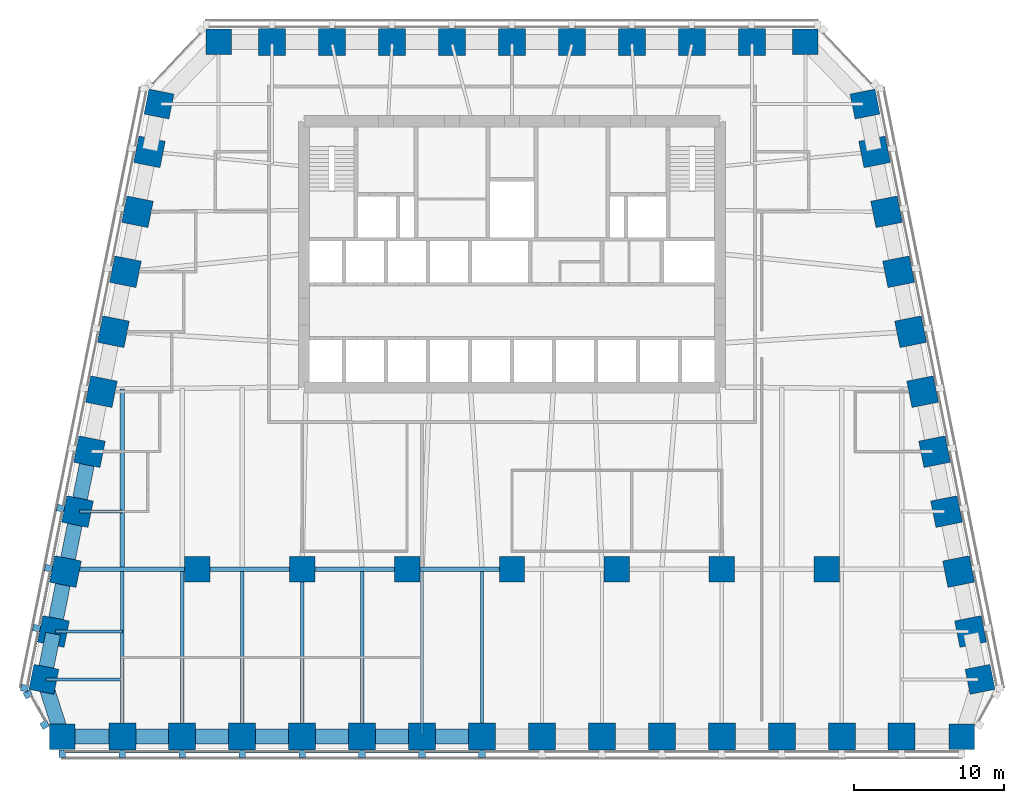
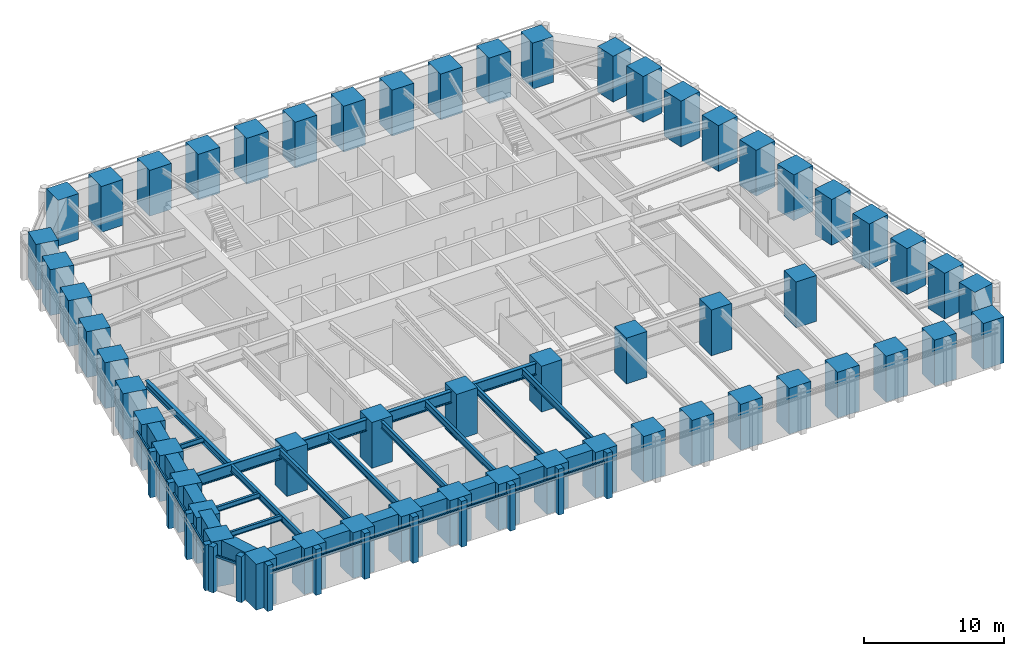
# One storey, part 1 of 10: 56 columns, 27 beams, 26 members, 3 elements without a shape of their own.
"""IFC4 building model written with IfcOpenShell, lengths in metres."""

from ifc_helpers import new_model, si_unit, direction, frame, origin, origin_2d, place, context, subcontext, project, spatial, rectangle, i_section, extrude, material, material_profile, profile_set, type_object, element, aggregate, save


model = new_model("IFC4")

# Units and contexts
model_context = context("Model", 3, precision=1e-05, world=origin(), true_north=direction((0.0, 1.0)))
body_context = subcontext(model_context, "Body", "Model", "MODEL_VIEW")
ifc_project = project(units=[si_unit("LENGTHUNIT", "METRE"), si_unit("AREAUNIT", "SQUARE_METRE"), si_unit("VOLUMEUNIT", "CUBIC_METRE"), si_unit("PLANEANGLEUNIT", "RADIAN"), si_unit("MASSUNIT", "GRAM", prefix="KILO")], contexts=[model_context])

# Site, building, storey
site_placement = place(None, origin())
site = spatial("IfcSite", under=ifc_project, at=site_placement, CompositionType="ELEMENT")
building_placement = place(site_placement, origin())
building = spatial("IfcBuilding", under=site, at=building_placement, Name="Isbrekke Arena Tower", CompositionType="ELEMENT")
storey_placement = place(building_placement, frame((0.0, 0.0, 107.0)))
storey = spatial("IfcBuildingStorey", under=building, at=storey_placement, Name="L23", CompositionType="ELEMENT", Elevation=107.0)

# Columns
ifc_material_1 = material(Name="Concrete B80 (C80/95)", Category="concrete")
ifc_material_profile_1 = material_profile(ifc_material_1, rectangle(XDim=1.699951171875, YDim=1.699951171875, at=origin_2d()), Name="RC 1700x1700")
ifc_profile_set_1 = profile_set([ifc_material_profile_1], Name="Concrete B80 (C80/95)")
column_type_1 = type_object("IfcColumnType", Name="C12 RC 1700 x 1700", PredefinedType="COLUMN", material=ifc_profile_set_1)
for number, where, z_axis, x_axis, name in (
    (1, (-21.0, -6.0, 0.0), (0.0, 0.0, 1.0), (1.0, 0.0, 0.0), "C12 I01"),
    (2, (-14.0, -6.0, 0.0), (0.0, 0.0, 1.0), (1.0, 0.0, 0.0), "C12 I02"),
    (3, (-7.0, -6.0, 0.0), (0.0, 0.0, 1.0), (1.0, 0.0, 0.0), "C12 I03"),
    (4, (0.0, -6.0, 0.0), (0.0, 0.0, 1.0), (1.0, 0.0, 0.0), "C12 I04"),
    (5, (7.0, -6.0, 0.0), (0.0, 0.0, 1.0), (1.0, 0.0, 0.0), "C12 I05"),
    (6, (14.0, -6.0, 0.0), (0.0, 0.0, 1.0), (1.0, 0.0, 0.0), "C12 I06"),
    (7, (21.0, -6.0, 0.0), (0.0, 0.0, 1.0), (1.0, 0.0, 0.0), "C12 I07"),
):
    element("IfcColumn", number, at=place(storey_placement, frame(where, z_axis=z_axis, x_axis=x_axis)), inside=storey, type_object=column_type_1, Name=name, PredefinedType="COLUMN", context=body_context, shape_type="SweptSolid", body=[
        extrude(rectangle(XDim=1.699951171875, YDim=1.699951171875, at=origin_2d()), origin(), (0.0, 0.0, 1.0), 4.0),
    ])
ifc_material_2 = material(Name="Concrete B80 (C80/95)", Category="concrete")
ifc_material_profile_2 = material_profile(ifc_material_2, rectangle(XDim=1.800048828125, YDim=1.800048828125, at=origin_2d()), Name="RC 1800x1800")
ifc_profile_set_2 = profile_set([ifc_material_profile_2], Name="Concrete B80 (C80/95)")
column_type_2 = type_object("IfcColumnType", Name="C3 RC 1800 x 1800", PredefinedType="COLUMN", material=ifc_profile_set_2)
for number, where, z_axis, x_axis, name in (
    (8, (-26.0, -17.175048828125, 0.0), (0.0, 0.0, 1.0), (1.0, 0.0, 0.0), "C3 S02"),
    (9, (-22.0, -17.175048828125, 0.0), (0.0, 0.0, 1.0), (1.0, 0.0, 0.0), "C3 S03"),
    (10, (-18.0, -17.175048828125, 0.0), (0.0, 0.0, 1.0), (1.0, 0.0, 0.0), "C3 S04"),
    (11, (-14.0, -17.175048828125, 0.0), (0.0, 0.0, 1.0), (1.0, 0.0, 0.0), "C3 S05"),
    (12, (-10.0, -17.175048828125, 0.0), (0.0, 0.0, 1.0), (1.0, 0.0, 0.0), "C3 S06"),
    (13, (-6.0, -17.175048828125, 0.0), (0.0, 0.0, 1.0), (1.0, 0.0, 0.0), "C3 S07"),
    (14, (-2.0, -17.175048828125, 0.0), (0.0, 0.0, 1.0), (1.0, 0.0, 0.0), "C3 S08"),
    (15, (2.0, -17.175048828125, 0.0), (0.0, 0.0, 1.0), (1.0, 0.0, 0.0), "C3 S09"),
    (16, (6.0, -17.175048828125, 0.0), (0.0, 0.0, 1.0), (1.0, 0.0, 0.0), "C3 S10"),
    (17, (10.0, -17.175048828125, 0.0), (0.0, 0.0, 1.0), (1.0, 0.0, 0.0), "C3 S11"),
    (18, (14.0, -17.175048828125, 0.0), (0.0, 0.0, 1.0), (1.0, 0.0, 0.0), "C3 S12"),
    (19, (18.0, -17.175048828125, 0.0), (0.0, 0.0, 1.0), (1.0, 0.0, 0.0), "C3 S13"),
    (20, (22.0, -17.175048828125, 0.0), (0.0, 0.0, 1.0), (1.0, 0.0, 0.0), "C3 S14"),
    (21, (26.0, -17.175048828125, 0.0), (0.0, 0.0, 1.0), (1.0, 0.0, 0.0), "C3 S15"),
    (22, (30.591064453125, -10.161865234375, 0.0), (0.0, 0.0, 1.0), (-0.196116135138, 0.980580675691, 0.0), "C3 E02"),
    (23, (29.791015625, -6.161865234375, 0.0), (0.0, 0.0, 1.0), (-0.196116135138, 0.980580675691, 0.0), "C3 E03"),
    (24, (28.990966796875, -2.161865234375, 0.0), (0.0, 0.0, 1.0), (-0.196116135138, 0.980580675691, 0.0), "C3 E04"),
    (25, (28.19091796875, 1.838134765625, 0.0), (0.0, 0.0, 1.0), (-0.196116135138, 0.980580675691, 0.0), "C3 E05"),
    (26, (27.39111328125, 5.838134765625, 0.0), (0.0, 0.0, 1.0), (-0.196116135138, 0.980580675691, 0.0), "C3 E06"),
    (27, (26.591064453125, 9.838134765625, 0.0), (0.0, 0.0, 1.0), (-0.196116135138, 0.980580675691, 0.0), "C3 E07"),
    (28, (25.791015625, 13.838134765625, 0.0), (0.0, 0.0, 1.0), (-0.196116135138, 0.980580675691, 0.0), "C3 E08"),
    (29, (24.990966796875, 17.838134765625, 0.0), (0.0, 0.0, 1.0), (-0.196116135138, 0.980580675691, 0.0), "C3 E09"),
    (30, (24.19091796875, 21.838134765625, 0.0), (0.0, 0.0, 1.0), (-0.196116135138, 0.980580675691, 0.0), "C3 E10"),
    (31, (16.0, 29.175048828125, 0.0), (0.0, 0.0, 1.0), (-1.0, 0.0, 0.0), "C3 N02"),
    (32, (12.0, 29.175048828125, 0.0), (0.0, 0.0, 1.0), (-1.0, 0.0, 0.0), "C3 N03"),
    (33, (8.0, 29.175048828125, 0.0), (0.0, 0.0, 1.0), (-1.0, 0.0, 0.0), "C3 N04"),
    (34, (4.0, 29.175048828125, 0.0), (0.0, 0.0, 1.0), (-1.0, 0.0, 0.0), "C3 N05"),
    (35, (0.0, 29.175048828125, 0.0), (0.0, 0.0, 1.0), (-1.0, 0.0, 0.0), "C3 N06"),
    (36, (-4.0, 29.175048828125, 0.0), (0.0, 0.0, 1.0), (-1.0, 0.0, 0.0), "C3 N07"),
    (37, (-8.0, 29.175048828125, 0.0), (0.0, 0.0, 1.0), (-1.0, 0.0, 0.0), "C3 N08"),
    (38, (-12.0, 29.175048828125, 0.0), (0.0, 0.0, 1.0), (-1.0, 0.0, 0.0), "C3 N09"),
    (39, (-16.0, 29.175048828125, 0.0), (0.0, 0.0, 1.0), (-1.0, 0.0, 0.0), "C3 N10"),
    (40, (-24.19091796875, 21.838134765625, 0.0), (0.0, 0.0, 1.0), (-0.196116135138, -0.980580675691, 0.0), "C3 W02"),
    (41, (-24.990966796875, 17.838134765625, 0.0), (0.0, 0.0, 1.0), (-0.196116135138, -0.980580675691, 0.0), "C3 W03"),
    (42, (-25.791015625, 13.838134765625, 0.0), (0.0, 0.0, 1.0), (-0.196116135138, -0.980580675691, 0.0), "C3 W04"),
    (43, (-26.591064453125, 9.838134765625, 0.0), (0.0, 0.0, 1.0), (-0.196116135138, -0.980580675691, 0.0), "C3 W05"),
    (44, (-27.39111328125, 5.838134765625, 0.0), (0.0, 0.0, 1.0), (-0.196116135138, -0.980580675691, 0.0), "C3 W06"),
    (45, (-28.19091796875, 1.838134765625, 0.0), (0.0, 0.0, 1.0), (-0.196116135138, -0.980580675691, 0.0), "C3 W07"),
    (46, (-28.990966796875, -2.161865234375, 0.0), (0.0, 0.0, 1.0), (-0.196116135138, -0.980580675691, 0.0), "C3 W08"),
    (47, (-29.791015625, -6.161865234375, 0.0), (0.0, 0.0, 1.0), (-0.196116135138, -0.980580675691, 0.0), "C3 W09"),
    (48, (-30.591064453125, -10.161865234375, 0.0), (0.0, 0.0, 1.0), (-0.196116135138, -0.980580675691, 0.0), "C3 W10"),
):
    element("IfcColumn", number, at=place(storey_placement, frame(where, z_axis=z_axis, x_axis=x_axis)), inside=storey, type_object=column_type_2, Name=name, PredefinedType="COLUMN", context=body_context, shape_type="SweptSolid", body=[
        extrude(rectangle(XDim=1.800048828125, YDim=1.800048828125, at=origin_2d()), origin(), (0.0, 0.0, 1.0), 4.0),
    ])
ifc_material_3 = material(Name="Concrete B80 (C80/95)", Category="concrete")
ifc_material_profile_3 = material_profile(ifc_material_3, rectangle(XDim=1.699951171875, YDim=1.699951171875, at=origin_2d()), Name="RC 1700x1700")
ifc_profile_set_3 = profile_set([ifc_material_profile_3], Name="Concrete B80 (C80/95)")
column_type_3 = type_object("IfcColumnType", Name="C7 RC 1700 x 1700", PredefinedType="COLUMN", material=ifc_profile_set_3)
for number, where, z_axis, x_axis, name in (
    (49, (-30.0, -17.175048828125, 0.0), (0.0, 0.0, 1.0), (1.0, 0.0, 0.0), "C7 S01"),
    (50, (30.0, -17.175048828125, 0.0), (0.0, 0.0, 1.0), (1.0, 0.0, 0.0), "C7 S16"),
    (51, (31.229248046875, -13.352783203125, 0.0), (0.0, 0.0, 1.0), (-0.196116135138, 0.980580675691, 0.0), "C7 E01"),
    (52, (23.552734375, 25.029296875, 0.0), (0.0, 0.0, 1.0), (-0.196116135138, 0.980580675691, 0.0), "C7 E11"),
    (53, (19.574951171875, 29.175048828125, 0.0), (0.0, 0.0, 1.0), (-1.0, 0.0, 0.0), "C7 N01"),
    (54, (-19.574951171875, 29.175048828125, 0.0), (0.0, 0.0, 1.0), (-1.0, 0.0, 0.0), "C7 N11"),
    (55, (-23.552734375, 25.029296875, 0.0), (0.0, 0.0, 1.0), (-0.196116135138, -0.980580675691, 0.0), "C7 W01"),
    (56, (-31.229248046875, -13.352783203125, 0.0), (0.0, 0.0, 1.0), (-0.196116135138, -0.980580675691, 0.0), "C7 W11"),
):
    element("IfcColumn", number, at=place(storey_placement, frame(where, z_axis=z_axis, x_axis=x_axis)), inside=storey, type_object=column_type_3, Name=name, PredefinedType="COLUMN", context=body_context, shape_type="SweptSolid", body=[
        extrude(rectangle(XDim=1.699951171875, YDim=1.699951171875, at=origin_2d()), origin(), (0.0, 0.0, 1.0), 4.0),
    ])

# Beams
ifc_material_4 = material(Name="Steel S355", Category="steel")
ifc_material_profile_4 = material_profile(ifc_material_4, i_section(OverallWidth=0.219970703125, OverallDepth=0.60009765625, WebThickness=0.011962890625, FlangeThickness=0.01904296875, FilletRadius=0.02392578125, at=origin_2d()), Name="IPE 600")
ifc_profile_set_4 = profile_set([ifc_material_profile_4], Name="Steel S355")
beam_type_1 = type_object("IfcBeamType", Name="B1 IPE 600", PredefinedType="BEAM", material=ifc_profile_set_4)
for number, where, z_axis, x_axis, name in (
    (57, (-26.0, -17.02490234375, 3.550048828125), (0.0, 1.0, 0.0), (-1.0, 0.0, 0.0), "B1 beam S-S02 L23"),
    (58, (-22.0, -17.02490234375, 3.550048828125), (0.0, 1.0, 0.0), (-1.0, 0.0, 0.0), "B1 beam S-S03 L23"),
    (59, (-18.0, -17.02490234375, 3.550048828125), (0.0, 1.0, 0.0), (-1.0, 0.0, 0.0), "B1 beam S-S04 L23"),
):
    element("IfcBeam", number, at=place(storey_placement, frame(where, z_axis=z_axis, x_axis=x_axis)), inside=storey, type_object=beam_type_1, Name=name, PredefinedType="BEAM", context=body_context, shape_type="SweptSolid", body=[
        extrude(i_section(OverallWidth=0.219970703125, OverallDepth=0.60009765625, WebThickness=0.011962890625, FlangeThickness=0.01904296875, FilletRadius=0.02392578125, at=origin_2d()), origin(), (0.0, 0.0, 1.0), 10.8740234375),
    ])
beam_1_placement = place(storey_placement, frame((-14.0, -17.02490234375, 3.550048828125), z_axis=(0.0, 1.0, 0.0), x_axis=(-1.0, 0.0, 0.0)))
element("IfcBeam", 60, at=beam_1_placement, inside=storey, type_object=beam_type_1, Name="B1 beam S-S05 L23", PredefinedType="BEAM", context=body_context, shape_type="SweptSolid", body=[
    extrude(i_section(OverallWidth=0.219970703125, OverallDepth=0.60009765625, WebThickness=0.011962890625, FlangeThickness=0.01904296875, FilletRadius=0.02392578125, at=origin_2d()), origin(), (0.0, 0.0, 1.0), 10.875),
])
for number, where, z_axis, x_axis, name in (
    (61, (-10.0, -17.02490234375, 3.550048828125), (0.0, 1.0, 0.0), (-1.0, 0.0, 0.0), "B1 beam S-S06 L23"),
    (62, (-6.0, -17.02490234375, 3.550048828125), (0.0, 1.0, 0.0), (-1.0, 0.0, 0.0), "B1 beam S-S07 L23"),
    (63, (-2.0, -17.02490234375, 3.550048828125), (0.0, 1.0, 0.0), (-1.0, 0.0, 0.0), "B1 beam S-S08 L23"),
):
    element("IfcBeam", number, at=place(storey_placement, frame(where, z_axis=z_axis, x_axis=x_axis)), inside=storey, type_object=beam_type_1, Name=name, PredefinedType="BEAM", context=body_context, shape_type="SweptSolid", body=[
        extrude(i_section(OverallWidth=0.219970703125, OverallDepth=0.60009765625, WebThickness=0.011962890625, FlangeThickness=0.01904296875, FilletRadius=0.02392578125, at=origin_2d()), origin(), (0.0, 0.0, 1.0), 10.8740234375),
    ])
ifc_material_5 = material(Name="Steel S355", Category="steel")
ifc_material_profile_5 = material_profile(ifc_material_5, i_section(OverallWidth=0.18994140625, OverallDepth=0.449951171875, WebThickness=0.009521484375, FlangeThickness=0.0146484375, FilletRadius=0.02099609375, at=origin_2d()), Name="IPE 450")
ifc_profile_set_5 = profile_set([ifc_material_profile_5], Name="Steel S355")
beam_type_2 = type_object("IfcBeamType", Name="B2 IPE 450", PredefinedType="BEAM", material=ifc_profile_set_5)
beam_2_placement = place(storey_placement, frame((-28.841064453125, -2.161865234375, 3.625), z_axis=(1.0, 0.0, 0.0), x_axis=(0.0, 1.0, 0.0)))
element("IfcBeam", 64, at=beam_2_placement, inside=storey, type_object=beam_type_2, Name="B2 beam E-W08 L23", PredefinedType="BEAM", context=body_context, shape_type="SweptSolid", body=[
    extrude(i_section(OverallWidth=0.18994140625, OverallDepth=0.449951171875, WebThickness=0.009521484375, FlangeThickness=0.0146484375, FilletRadius=0.02099609375, at=origin_2d()), origin(), (0.0, 0.0, 1.0), 2.841064453125),
])
beam_3_placement = place(storey_placement, frame((-30.44091796875, -10.161865234375, 3.625), z_axis=(1.0, 0.0, 0.0), x_axis=(0.0, 1.0, 0.0)))
element("IfcBeam", 65, at=beam_3_placement, inside=storey, type_object=beam_type_2, Name="B2 beam E-W10 L23", PredefinedType="BEAM", context=body_context, shape_type="SweptSolid", body=[
    extrude(i_section(OverallWidth=0.18994140625, OverallDepth=0.449951171875, WebThickness=0.009521484375, FlangeThickness=0.0146484375, FilletRadius=0.02099609375, at=origin_2d()), origin(), (0.0, 0.0, 1.0), 4.44091796875),
])
beam_4_placement = place(storey_placement, frame((-31.079345703125, -13.352783203125, 3.625), z_axis=(1.0, 0.0, 0.0), x_axis=(0.0, 1.0, 0.0)))
element("IfcBeam", 66, at=beam_4_placement, inside=storey, type_object=beam_type_2, Name="B2 beam E-W11 L23", PredefinedType="BEAM", context=body_context, shape_type="SweptSolid", body=[
    extrude(i_section(OverallWidth=0.18994140625, OverallDepth=0.449951171875, WebThickness=0.009521484375, FlangeThickness=0.0146484375, FilletRadius=0.02099609375, at=origin_2d()), origin(), (0.0, 0.0, 1.0), 5.079345703125),
])
ifc_material_6 = material(Name="Steel S355", Category="steel")
ifc_material_profile_6 = material_profile(ifc_material_6, i_section(OverallWidth=0.300048828125, OverallDepth=0.60009765625, WebThickness=0.015380859375, FlangeThickness=0.030029296875, FilletRadius=0.027099609375, at=origin_2d()), Name="HEB 600")
ifc_profile_set_6 = profile_set([ifc_material_profile_6], Name="Steel S355")
beam_type_3 = type_object("IfcBeamType", Name="B7 HEB 600", PredefinedType="BEAM", material=ifc_profile_set_6)
beam_5_placement = place(storey_placement, frame((-26.0, -5.84912109375, 3.550048828125), z_axis=(0.0, 1.0, 0.0), x_axis=(-1.0, 0.0, 0.0)))
element("IfcBeam", 67, at=beam_5_placement, inside=storey, type_object=beam_type_3, Name="B7 beam C-M01 L23", PredefinedType="BEAM", context=body_context, shape_type="SweptSolid", body=[
    extrude(i_section(OverallWidth=0.300048828125, OverallDepth=0.60009765625, WebThickness=0.015380859375, FlangeThickness=0.030029296875, FilletRadius=0.027099609375, at=origin_2d()), origin(), (0.0, 0.0, 1.0), 11.864990234375),
])

# Curtain wall, members
ifc_material_7 = material(Name="Glazed aluminium curtain wall", Category="aluminium")
curtain_wall_type = type_object("IfcCurtainWallType", Name="CWM TOWER CURTAIN WALL MID ZONE", PredefinedType="USERDEFINED", material=ifc_material_7)
curtain_wall_1_placement = place(storey_placement, origin())
curtain_wall_1 = element("IfcCurtainWall", 68, at=curtain_wall_1_placement, inside=storey, type_object=curtain_wall_type, Name="CWM curtain wall L23-S", ObjectType="TOWER CURTAIN WALL MID ZONE", PredefinedType="USERDEFINED")
ifc_material_8 = material(Name="Aluminium mullion, pale brick slip cladding", Category="masonry")
ifc_material_profile_7 = material_profile(ifc_material_8, rectangle(XDim=0.449951171875, YDim=0.5, at=origin_2d()), Name="PIER 450X500")
ifc_profile_set_7 = profile_set([ifc_material_profile_7], Name="Aluminium mullion, pale brick slip cladding")
member_type_1 = type_object("IfcMemberType", Name="CWM-M PIER MULLION 450 x 500", PredefinedType="MULLION", material=ifc_profile_set_7)
member_1_placement = place(storey_placement, frame((-30.0, -18.324951171875, 0.0), z_axis=(0.0, 0.0, 1.0), x_axis=(1.0, 0.0, 0.0)))
member_1 = element("IfcMember", 69, at=member_1_placement, type_object=member_type_1, Name="CWM-M mullion 1", PredefinedType="MULLION", context=body_context, shape_type="SweptSolid", body=[
    extrude(rectangle(XDim=0.449951171875, YDim=0.5, at=origin_2d()), origin(), (0.0, 0.0, 1.0), 4.0),
])
member_2_placement = place(storey_placement, frame((-26.0, -18.324951171875, 0.0), z_axis=(0.0, 0.0, 1.0), x_axis=(1.0, 0.0, 0.0)))
member_2 = element("IfcMember", 70, at=member_2_placement, type_object=member_type_1, Name="CWM-M mullion 2", PredefinedType="MULLION", context=body_context, shape_type="SweptSolid", body=[
    extrude(rectangle(XDim=0.449951171875, YDim=0.5, at=origin_2d()), origin(), (0.0, 0.0, 1.0), 4.0),
])
member_3_placement = place(storey_placement, frame((-22.0, -18.324951171875, 0.0), z_axis=(0.0, 0.0, 1.0), x_axis=(1.0, 0.0, 0.0)))
member_3 = element("IfcMember", 71, at=member_3_placement, type_object=member_type_1, Name="CWM-M mullion 3", PredefinedType="MULLION", context=body_context, shape_type="SweptSolid", body=[
    extrude(rectangle(XDim=0.449951171875, YDim=0.5, at=origin_2d()), origin(), (0.0, 0.0, 1.0), 4.0),
])
member_4_placement = place(storey_placement, frame((-18.0, -18.324951171875, 0.0), z_axis=(0.0, 0.0, 1.0), x_axis=(1.0, 0.0, 0.0)))
member_4 = element("IfcMember", 72, at=member_4_placement, type_object=member_type_1, Name="CWM-M mullion 4", PredefinedType="MULLION", context=body_context, shape_type="SweptSolid", body=[
    extrude(rectangle(XDim=0.449951171875, YDim=0.5, at=origin_2d()), origin(), (0.0, 0.0, 1.0), 4.0),
])
member_5_placement = place(storey_placement, frame((-14.0, -18.324951171875, 0.0), z_axis=(0.0, 0.0, 1.0), x_axis=(1.0, 0.0, 0.0)))
member_5 = element("IfcMember", 73, at=member_5_placement, type_object=member_type_1, Name="CWM-M mullion 5", PredefinedType="MULLION", context=body_context, shape_type="SweptSolid", body=[
    extrude(rectangle(XDim=0.449951171875, YDim=0.5, at=origin_2d()), origin(), (0.0, 0.0, 1.0), 4.0),
])
member_6_placement = place(storey_placement, frame((-10.0, -18.324951171875, 0.0), z_axis=(0.0, 0.0, 1.0), x_axis=(1.0, 0.0, 0.0)))
member_6 = element("IfcMember", 74, at=member_6_placement, type_object=member_type_1, Name="CWM-M mullion 6", PredefinedType="MULLION", context=body_context, shape_type="SweptSolid", body=[
    extrude(rectangle(XDim=0.449951171875, YDim=0.5, at=origin_2d()), origin(), (0.0, 0.0, 1.0), 4.0),
])
member_7_placement = place(storey_placement, frame((-6.0, -18.324951171875, 0.0), z_axis=(0.0, 0.0, 1.0), x_axis=(1.0, 0.0, 0.0)))
member_7 = element("IfcMember", 75, at=member_7_placement, type_object=member_type_1, Name="CWM-M mullion 7", PredefinedType="MULLION", context=body_context, shape_type="SweptSolid", body=[
    extrude(rectangle(XDim=0.449951171875, YDim=0.5, at=origin_2d()), origin(), (0.0, 0.0, 1.0), 4.0),
])
member_8_placement = place(storey_placement, frame((-2.0, -18.324951171875, 0.0), z_axis=(0.0, 0.0, 1.0), x_axis=(1.0, 0.0, 0.0)))
member_8 = element("IfcMember", 76, at=member_8_placement, type_object=member_type_1, Name="CWM-M mullion 8", PredefinedType="MULLION", context=body_context, shape_type="SweptSolid", body=[
    extrude(rectangle(XDim=0.449951171875, YDim=0.5, at=origin_2d()), origin(), (0.0, 0.0, 1.0), 4.0),
])

curtain_wall_2_placement = place(storey_placement, origin())
curtain_wall_2 = element("IfcCurtainWall", 77, at=curtain_wall_2_placement, inside=storey, type_object=curtain_wall_type, Name="CWM curtain wall L23-W", ObjectType="TOWER CURTAIN WALL MID ZONE", PredefinedType="USERDEFINED")
member_9_placement = place(storey_placement, frame((-30.11865234375, -1.936279296875, 0.0), z_axis=(0.0, 0.0, 1.0), x_axis=(-0.196116135138, -0.980580675691, 0.0)))
member_9 = element("IfcMember", 78, at=member_9_placement, type_object=member_type_1, Name="CWM-M mullion 8", PredefinedType="MULLION", context=body_context, shape_type="SweptSolid", body=[
    extrude(rectangle(XDim=0.449951171875, YDim=0.5, at=origin_2d()), origin(), (0.0, 0.0, 1.0), 4.0),
])
member_10_placement = place(storey_placement, frame((-30.918701171875, -5.936279296875, 0.0), z_axis=(0.0, 0.0, 1.0), x_axis=(-0.196116135138, -0.980580675691, 0.0)))
member_10 = element("IfcMember", 79, at=member_10_placement, type_object=member_type_1, Name="CWM-M mullion 9", PredefinedType="MULLION", context=body_context, shape_type="SweptSolid", body=[
    extrude(rectangle(XDim=0.449951171875, YDim=0.5, at=origin_2d()), origin(), (0.0, 0.0, 1.0), 4.0),
])
member_11_placement = place(storey_placement, frame((-31.71875, -9.936279296875, 0.0), z_axis=(0.0, 0.0, 1.0), x_axis=(-0.196116135138, -0.980580675691, 0.0)))
member_11 = element("IfcMember", 80, at=member_11_placement, type_object=member_type_1, Name="CWM-M mullion 10", PredefinedType="MULLION", context=body_context, shape_type="SweptSolid", body=[
    extrude(rectangle(XDim=0.449951171875, YDim=0.5, at=origin_2d()), origin(), (0.0, 0.0, 1.0), 4.0),
])
member_12_placement = place(storey_placement, frame((-32.518798828125, -13.936279296875, 0.0), z_axis=(0.0, 0.0, 1.0), x_axis=(-0.196116135138, -0.980580675691, 0.0)))
member_12 = element("IfcMember", 81, at=member_12_placement, type_object=member_type_1, Name="CWM-M mullion 11", PredefinedType="MULLION", context=body_context, shape_type="SweptSolid", body=[
    extrude(rectangle(XDim=0.449951171875, YDim=0.5, at=origin_2d()), origin(), (0.0, 0.0, 1.0), 4.0),
])

curtain_wall_3_placement = place(storey_placement, origin())
curtain_wall_3 = element("IfcCurtainWall", 82, at=curtain_wall_3_placement, inside=storey, type_object=curtain_wall_type, Name="CWM curtain wall L23-WS", ObjectType="TOWER CURTAIN WALL MID ZONE", PredefinedType="USERDEFINED")
member_13_placement = place(storey_placement, frame((-32.29638671875, -14.34326171875, 0.0), z_axis=(0.0, 0.0, 1.0), x_axis=(0.481918749773, -0.876215908676, 0.0)))
member_13 = element("IfcMember", 83, at=member_13_placement, type_object=member_type_1, Name="CWM-M mullion 1", PredefinedType="MULLION", context=body_context, shape_type="SweptSolid", body=[
    extrude(rectangle(XDim=0.449951171875, YDim=0.5, at=origin_2d()), origin(), (0.0, 0.0, 1.0), 4.0),
])
member_14_placement = place(storey_placement, frame((-31.174560546875, -16.38330078125, 0.0), z_axis=(0.0, 0.0, 1.0), x_axis=(0.481918749773, -0.876215908676, 0.0)))
member_14 = element("IfcMember", 84, at=member_14_placement, type_object=member_type_1, Name="CWM-M mullion 2", PredefinedType="MULLION", context=body_context, shape_type="SweptSolid", body=[
    extrude(rectangle(XDim=0.449951171875, YDim=0.5, at=origin_2d()), origin(), (0.0, 0.0, 1.0), 4.0),
])

# Member
ifc_material_9 = material(Name="Aluminium transom", Category="aluminium")
ifc_material_profile_8 = material_profile(ifc_material_9, rectangle(XDim=0.1201171875, YDim=0.199951171875, at=origin_2d()), Name="TRANSOM 120X200")
ifc_profile_set_8 = profile_set([ifc_material_profile_8], Name="Aluminium transom")
member_type_2 = type_object("IfcMemberType", Name="CWM-T TRANSOM 120 x 200", PredefinedType="USERDEFINED", material=ifc_profile_set_8)
member_15_placement = place(storey_placement, frame((-29.77490234375, -18.175048828125, 3.0), z_axis=(1.0, 0.0, 0.0), x_axis=(0.0, 1.0, 0.0)))
member_15 = element("IfcMember", 85, at=member_15_placement, type_object=member_type_2, Name="CWM-T transom 1", ObjectType="TRANSOM", PredefinedType="USERDEFINED", context=body_context, shape_type="SweptSolid", body=[
    extrude(rectangle(XDim=0.1201171875, YDim=0.199951171875, at=origin_2d()), origin(), (0.0, 0.0, 1.0), 3.5498046875),
])

member_16_placement = place(storey_placement, frame((-25.77490234375, -18.175048828125, 3.0), z_axis=(1.0, 0.0, 0.0), x_axis=(0.0, 1.0, 0.0)))
member_16 = element("IfcMember", 86, at=member_16_placement, type_object=member_type_2, Name="CWM-T transom 2", ObjectType="TRANSOM", PredefinedType="USERDEFINED", context=body_context, shape_type="SweptSolid", body=[
    extrude(rectangle(XDim=0.1201171875, YDim=0.199951171875, at=origin_2d()), origin(), (0.0, 0.0, 1.0), 3.5498046875),
])

member_17_placement = place(storey_placement, frame((-21.77490234375, -18.175048828125, 3.0), z_axis=(1.0, 0.0, 0.0), x_axis=(0.0, 1.0, 0.0)))
member_17 = element("IfcMember", 87, at=member_17_placement, type_object=member_type_2, Name="CWM-T transom 3", ObjectType="TRANSOM", PredefinedType="USERDEFINED", context=body_context, shape_type="SweptSolid", body=[
    extrude(rectangle(XDim=0.1201171875, YDim=0.199951171875, at=origin_2d()), origin(), (0.0, 0.0, 1.0), 3.5498046875),
])

member_18_placement = place(storey_placement, frame((-17.77490234375, -18.175048828125, 3.0), z_axis=(1.0, 0.0, 0.0), x_axis=(0.0, 1.0, 0.0)))
member_18 = element("IfcMember", 88, at=member_18_placement, type_object=member_type_2, Name="CWM-T transom 4", ObjectType="TRANSOM", PredefinedType="USERDEFINED", context=body_context, shape_type="SweptSolid", body=[
    extrude(rectangle(XDim=0.1201171875, YDim=0.199951171875, at=origin_2d()), origin(), (0.0, 0.0, 1.0), 3.5498046875),
])

member_19_placement = place(storey_placement, frame((-13.77490234375, -18.175048828125, 3.0), z_axis=(1.0, 0.0, 0.0), x_axis=(0.0, 1.0, 0.0)))
member_19 = element("IfcMember", 89, at=member_19_placement, type_object=member_type_2, Name="CWM-T transom 5", ObjectType="TRANSOM", PredefinedType="USERDEFINED", context=body_context, shape_type="SweptSolid", body=[
    extrude(rectangle(XDim=0.1201171875, YDim=0.199951171875, at=origin_2d()), origin(), (0.0, 0.0, 1.0), 3.5498046875),
])

member_20_placement = place(storey_placement, frame((-9.77490234375, -18.175048828125, 3.0), z_axis=(1.0, 0.0, 0.0), x_axis=(0.0, 1.0, 0.0)))
member_20 = element("IfcMember", 90, at=member_20_placement, type_object=member_type_2, Name="CWM-T transom 6", ObjectType="TRANSOM", PredefinedType="USERDEFINED", context=body_context, shape_type="SweptSolid", body=[
    extrude(rectangle(XDim=0.1201171875, YDim=0.199951171875, at=origin_2d()), origin(), (0.0, 0.0, 1.0), 3.5498046875),
])

member_21_placement = place(storey_placement, frame((-5.77490234375, -18.175048828125, 3.0), z_axis=(1.0, 0.0, 0.0), x_axis=(0.0, 1.0, 0.0)))
member_21 = element("IfcMember", 91, at=member_21_placement, type_object=member_type_2, Name="CWM-T transom 7", ObjectType="TRANSOM", PredefinedType="USERDEFINED", context=body_context, shape_type="SweptSolid", body=[
    extrude(rectangle(XDim=0.1201171875, YDim=0.199951171875, at=origin_2d()), origin(), (0.0, 0.0, 1.0), 3.5498046875),
])

aggregate(curtain_wall_1, [member_1, member_2, member_3, member_4, member_5, member_6, member_7, member_8, member_15, member_16, member_17, member_18, member_19, member_20, member_21])

member_22_placement = place(storey_placement, frame((-29.2158203125, 1.813720703125, 3.0), z_axis=(-0.196090262229, -0.980585849918, 0.0), x_axis=(0.980585849918, -0.196090262229, 0.0)))
member_22 = element("IfcMember", 92, at=member_22_placement, type_object=member_type_2, Name="CWM-T transom 7", ObjectType="TRANSOM", PredefinedType="USERDEFINED", context=body_context, shape_type="SweptSolid", body=[
    extrude(rectangle(XDim=0.1201171875, YDim=0.199951171875, at=origin_2d()), origin(), (0.0, 0.0, 1.0), 3.62939453125),
])

member_23_placement = place(storey_placement, frame((-30.015625, -2.186279296875, 3.0), z_axis=(-0.196154943734, -0.980572913173, 0.0), x_axis=(0.980572913173, -0.196154943734, 0.0)))
member_23 = element("IfcMember", 93, at=member_23_placement, type_object=member_type_2, Name="CWM-T transom 8", ObjectType="TRANSOM", PredefinedType="USERDEFINED", context=body_context, shape_type="SweptSolid", body=[
    extrude(rectangle(XDim=0.1201171875, YDim=0.199951171875, at=origin_2d()), origin(), (0.0, 0.0, 1.0), 3.62939453125),
])

member_24_placement = place(storey_placement, frame((-30.815673828125, -6.186279296875, 3.0), z_axis=(-0.196154943734, -0.980572913173, 0.0), x_axis=(0.980572913173, -0.196154943734, 0.0)))
member_24 = element("IfcMember", 94, at=member_24_placement, type_object=member_type_2, Name="CWM-T transom 9", ObjectType="TRANSOM", PredefinedType="USERDEFINED", context=body_context, shape_type="SweptSolid", body=[
    extrude(rectangle(XDim=0.1201171875, YDim=0.199951171875, at=origin_2d()), origin(), (0.0, 0.0, 1.0), 3.62939453125),
])

member_25_placement = place(storey_placement, frame((-31.61572265625, -10.186279296875, 3.0), z_axis=(-0.196090262229, -0.980585849918, 0.0), x_axis=(0.980585849918, -0.196090262229, 0.0)))
member_25 = element("IfcMember", 95, at=member_25_placement, type_object=member_type_2, Name="CWM-T transom 10", ObjectType="TRANSOM", PredefinedType="USERDEFINED", context=body_context, shape_type="SweptSolid", body=[
    extrude(rectangle(XDim=0.1201171875, YDim=0.199951171875, at=origin_2d()), origin(), (0.0, 0.0, 1.0), 3.62939453125),
])

aggregate(curtain_wall_2, [member_9, member_10, member_11, member_12, member_22, member_23, member_24, member_25])

member_26_placement = place(storey_placement, frame((-32.056640625, -14.46826171875, 3.0), z_axis=(0.481918749772, -0.876215908677, 0.0), x_axis=(0.876215908677, 0.481918749772, 0.0)))
member_26 = element("IfcMember", 96, at=member_26_placement, type_object=member_type_2, Name="CWM-T transom 1", ObjectType="TRANSOM", PredefinedType="USERDEFINED", context=body_context, shape_type="SweptSolid", body=[
    extrude(rectangle(XDim=0.1201171875, YDim=0.199951171875, at=origin_2d()), origin(), (0.0, 0.0, 1.0), 1.8779296875),
])

aggregate(curtain_wall_3, [member_13, member_14, member_26])

# Beams
ifc_material_10 = material(Name="Steel S355", Category="steel")
ifc_material_profile_9 = material_profile(ifc_material_10, i_section(OverallWidth=0.302001953125, OverallDepth=1.008056640625, WebThickness=0.02099609375, FlangeThickness=0.0400390625, FilletRadius=0.030029296875, at=origin_2d()), Name="HEM 1000")
ifc_profile_set_9 = profile_set([ifc_material_profile_9], Name="Steel S355")
beam_type_4 = type_object("IfcBeamType", Name="G1 HEM 1000", PredefinedType="BEAM", material=ifc_profile_set_9)
beam_6_placement = place(storey_placement, frame((-29.791015625, -6.0, 3.345947265625), z_axis=(1.0, 0.0, 0.0), x_axis=(0.0, 1.0, 0.0)))
element("IfcBeam", 97, at=beam_6_placement, inside=storey, type_object=beam_type_4, Name="G1 beam G1-01 L23", PredefinedType="BEAM", context=body_context, shape_type="SweptSolid", body=[
    extrude(i_section(OverallWidth=0.302001953125, OverallDepth=1.008056640625, WebThickness=0.02099609375, FlangeThickness=0.0400390625, FilletRadius=0.030029296875, at=origin_2d()), origin(), (0.0, 0.0, 1.0), 8.64111328125),
])
for number, where, z_axis, x_axis, name in (
    (98, (-20.85009765625, -6.0, 3.345947265625), (1.0, 0.0, 0.0), (0.0, 1.0, 0.0), "G1 beam G1-02 L23"),
    (99, (-13.85009765625, -6.0, 3.345947265625), (1.0, 0.0, 0.0), (0.0, 1.0, 0.0), "G1 beam G1-03 L23"),
    (100, (-6.85009765625, -6.0, 3.345947265625), (1.0, 0.0, 0.0), (0.0, 1.0, 0.0), "G1 beam G1-04 L23"),
):
    element("IfcBeam", number, at=place(storey_placement, frame(where, z_axis=z_axis, x_axis=x_axis)), inside=storey, type_object=beam_type_4, Name=name, PredefinedType="BEAM", context=body_context, shape_type="SweptSolid", body=[
        extrude(i_section(OverallWidth=0.302001953125, OverallDepth=1.008056640625, WebThickness=0.02099609375, FlangeThickness=0.0400390625, FilletRadius=0.030029296875, at=origin_2d()), origin(), (0.0, 0.0, 1.0), 6.7001953125),
    ])
ifc_material_11 = material(Name="Concrete B80 (C80/95)", Category="concrete")
ifc_material_profile_10 = material_profile(ifc_material_11, rectangle(XDim=1.0, YDim=1.60009765625, at=origin_2d()), Name="RC 1000x1600")
ifc_profile_set_10 = profile_set([ifc_material_profile_10], Name="Concrete B80 (C80/95)")
beam_type_5 = type_object("IfcBeamType", Name="SB2 RC 1000 x 1600", PredefinedType="SPANDREL", material=ifc_profile_set_10)
for number, where, z_axis, x_axis, name in (
    (101, (-29.85009765625, -17.175048828125, 3.199951171875), (1.0, 0.0, 0.0), (0.0, 1.0, 0.0), "SB2 spandrel S01-S02 L23"),
    (102, (-25.85009765625, -17.175048828125, 3.199951171875), (1.0, 0.0, 0.0), (0.0, 1.0, 0.0), "SB2 spandrel S02-S03 L23"),
    (103, (-21.85009765625, -17.175048828125, 3.199951171875), (1.0, 0.0, 0.0), (0.0, 1.0, 0.0), "SB2 spandrel S03-S04 L23"),
    (104, (-17.85009765625, -17.175048828125, 3.199951171875), (1.0, 0.0, 0.0), (0.0, 1.0, 0.0), "SB2 spandrel S04-S05 L23"),
    (105, (-13.85009765625, -17.175048828125, 3.199951171875), (1.0, 0.0, 0.0), (0.0, 1.0, 0.0), "SB2 spandrel S05-S06 L23"),
    (106, (-9.85009765625, -17.175048828125, 3.199951171875), (1.0, 0.0, 0.0), (0.0, 1.0, 0.0), "SB2 spandrel S06-S07 L23"),
    (107, (-5.85009765625, -17.175048828125, 3.199951171875), (1.0, 0.0, 0.0), (0.0, 1.0, 0.0), "SB2 spandrel S07-S08 L23"),
):
    element("IfcBeam", number, at=place(storey_placement, frame(where, z_axis=z_axis, x_axis=x_axis)), inside=storey, type_object=beam_type_5, Name=name, PredefinedType="SPANDREL", context=body_context, shape_type="SweptSolid", body=[
        extrude(rectangle(XDim=1.0, YDim=1.60009765625, at=origin_2d()), origin(), (0.0, 0.0, 1.0), 3.7001953125),
    ])
for number, where, z_axis, x_axis, name in (
    (108, (-28.220458984375, 1.691162109375, 3.199951171875), (-0.196128558387, -0.980578190959, 0.0), (0.980578190959, -0.196128558387, 0.0), "SB2 spandrel W07-W08 L23"),
    (109, (-29.0205078125, -2.308837890625, 3.199951171875), (-0.196128558387, -0.980578190959, 0.0), (0.980578190959, -0.196128558387, 0.0), "SB2 spandrel W08-W09 L23"),
):
    element("IfcBeam", number, at=place(storey_placement, frame(where, z_axis=z_axis, x_axis=x_axis)), inside=storey, type_object=beam_type_5, Name=name, PredefinedType="SPANDREL", context=body_context, shape_type="SweptSolid", body=[
        extrude(rectangle(XDim=1.0, YDim=1.60009765625, at=origin_2d()), origin(), (0.0, 0.0, 1.0), 3.779296875),
    ])
beam_7_placement = place(storey_placement, frame((-29.820556640625, -6.308837890625, 3.199951171875), z_axis=(-0.1960664412, -0.980590613169, 0.0), x_axis=(0.980590613169, -0.1960664412, 0.0)))
element("IfcBeam", 110, at=beam_7_placement, inside=storey, type_object=beam_type_5, Name="SB2 spandrel W09-W10 L23", PredefinedType="SPANDREL", context=body_context, shape_type="SweptSolid", body=[
    extrude(rectangle(XDim=1.0, YDim=1.60009765625, at=origin_2d()), origin(), (0.0, 0.0, 1.0), 3.779052734375),
])
beam_8_placement = place(storey_placement, frame((-30.620361328125, -10.308837890625, 3.199951171875), z_axis=(-0.196100243168, -0.980583853951, 0.0), x_axis=(0.980583853951, -0.196100243168, 0.0)))
element("IfcBeam", 111, at=beam_8_placement, inside=storey, type_object=beam_type_5, Name="SB2 spandrel W10-W11 L23", PredefinedType="SPANDREL", context=body_context, shape_type="SweptSolid", body=[
    extrude(rectangle(XDim=1.0, YDim=1.60009765625, at=origin_2d()), origin(), (0.0, 0.0, 1.0), 2.954345703125),
])
beam_9_placement = place(storey_placement, frame((-31.183349609375, -13.49560546875, 3.199951171875), z_axis=(0.306175101476, -0.951975213562, 0.0), x_axis=(0.951975213562, 0.306175101476, 0.0)))
element("IfcBeam", 112, at=beam_9_placement, inside=storey, type_object=beam_type_5, Name="SB2 spandrel W11-S01 L23", PredefinedType="SPANDREL", context=body_context, shape_type="SweptSolid", body=[
    extrude(rectangle(XDim=1.0, YDim=1.60009765625, at=origin_2d()), origin(), (0.0, 0.0, 1.0), 3.715087890625),
])

save(model, "model.ifc")
